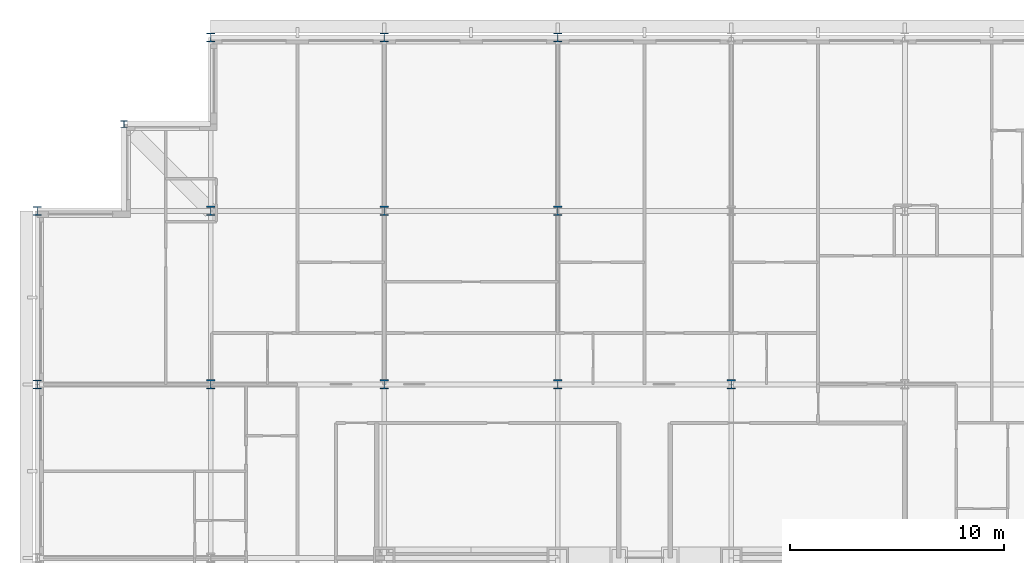
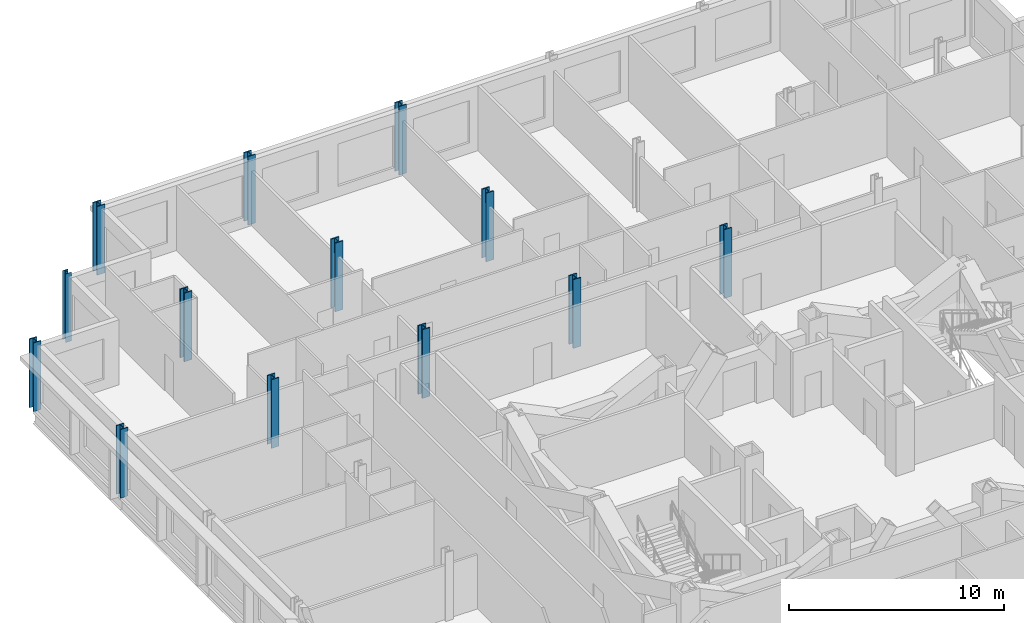
# One storey, part 3 of 15: 13 columns.
"""IFC4 building model written with IfcOpenShell, lengths in metres."""

from ifc_helpers import new_model, si_unit, direction, frame, origin, origin_2d, place, context, subcontext, project, spatial, i_section, extrude, material, material_profile, profile_set, type_object, element, save


model = new_model("IFC4")

# Units and contexts
model_context = context("Model", 3, precision=1e-05, world=origin(), true_north=direction((0.0, 1.0)))
body_context = subcontext(model_context, "Body", "Model", "MODEL_VIEW")
ifc_project = project(units=[si_unit("LENGTHUNIT", "METRE"), si_unit("AREAUNIT", "SQUARE_METRE"), si_unit("VOLUMEUNIT", "CUBIC_METRE"), si_unit("PLANEANGLEUNIT", "RADIAN"), si_unit("MASSUNIT", "GRAM", prefix="KILO")], contexts=[model_context])

# Site, building, storey
site_placement = place(None, origin())
site = spatial("IfcSite", under=ifc_project, at=site_placement, CompositionType="ELEMENT")
building_placement = place(site_placement, origin())
building = spatial("IfcBuilding", under=site, at=building_placement, Name="Kopane Lantern Tower", CompositionType="ELEMENT")
storey_placement = place(building_placement, frame((0.0, 0.0, 289.199951171875)))
storey = spatial("IfcBuildingStorey", under=building, at=storey_placement, Name="L74", CompositionType="ELEMENT", Elevation=289.199951171875)

# Columns
ifc_material_1 = material(Name="Steel S355JR", Category="steel")
ifc_material_profile_1 = material_profile(ifc_material_1, i_section(OverallWidth=0.307373046875, OverallDepth=0.314453125, WebThickness=0.011962890625, FlangeThickness=0.018798828125, FilletRadius=0.01513671875, at=origin_2d()), Name="UC 305x305x118")
ifc_profile_set_1 = profile_set([ifc_material_profile_1], Name="Steel S355JR")
column_type_1 = type_object("IfcColumnType", Name="COLUMN UC 305x305x118", PredefinedType="COLUMN", material=ifc_profile_set_1)
column_placement = place(storey_placement, frame((4.050048828125, 60.75, 0.0), z_axis=(0.0, 0.0, 1.0), x_axis=(1.0, 0.0, 0.0)))
element("IfcColumn", 1, at=column_placement, inside=storey, type_object=column_type_1, Name="Column 4.05/60.75 L74", PredefinedType="COLUMN", context=body_context, shape_type="SweptSolid", body=[
    extrude(i_section(OverallWidth=0.307373046875, OverallDepth=0.314453125, WebThickness=0.011962890625, FlangeThickness=0.018798828125, FilletRadius=0.01513671875, at=origin_2d()), origin(), (0.0, 0.0, 1.0), 3.900146484375),
])
ifc_material_2 = material(Name="Steel S355JR", Category="steel")
ifc_material_profile_2 = material_profile(ifc_material_2, i_section(OverallWidth=0.406982421875, OverallDepth=0.4189453125, WebThickness=0.030517578125, FlangeThickness=0.04931640625, FilletRadius=0.01513671875, at=origin_2d()), Name="UC 356x406x393")
ifc_profile_set_2 = profile_set([ifc_material_profile_2], Name="Steel S355JR")
column_type_2 = type_object("IfcColumnType", Name="COLUMN UC 356x406x393", PredefinedType="COLUMN", material=ifc_profile_set_2)
for number, where, z_axis, x_axis, name in (
    (2, (0.0, 48.60009765625, 0.0), (0.0, 0.0, 1.0), (1.0, 0.0, 0.0), "Column 2/H L74"),
    (3, (0.0, 56.699951171875, 0.0), (0.0, 0.0, 1.0), (1.0, 0.0, 0.0), "Column 2/J L74"),
    (4, (8.10009765625, 64.800048828125, 0.0), (0.0, 0.0, 1.0), (1.0, 0.0, 0.0), "Column 3/K L74"),
    (5, (16.199951171875, 64.800048828125, 0.0), (0.0, 0.0, 1.0), (1.0, 0.0, 0.0), "Column 4/K L74"),
    (6, (24.300048828125, 64.800048828125, 0.0), (0.0, 0.0, 1.0), (1.0, 0.0, 0.0), "Column 5/K L74"),
):
    element("IfcColumn", number, at=place(storey_placement, frame(where, z_axis=z_axis, x_axis=x_axis)), inside=storey, type_object=column_type_2, Name=name, PredefinedType="COLUMN", context=body_context, shape_type="SweptSolid", body=[
        extrude(i_section(OverallWidth=0.406982421875, OverallDepth=0.4189453125, WebThickness=0.030517578125, FlangeThickness=0.04931640625, FilletRadius=0.01513671875, at=origin_2d()), origin(), (0.0, 0.0, 1.0), 3.900146484375),
    ])
ifc_material_3 = material(Name="Steel S355JR", Category="steel")
ifc_material_profile_3 = material_profile(ifc_material_3, i_section(OverallWidth=0.412109375, OverallDepth=0.4365234375, WebThickness=0.035888671875, FlangeThickness=0.05810546875, FilletRadius=0.01513671875, at=origin_2d()), Name="UC 356x406x467")
ifc_profile_set_3 = profile_set([ifc_material_profile_3], Name="Steel S355JR")
column_type_3 = type_object("IfcColumnType", Name="COLUMN UC 356x406x467", PredefinedType="COLUMN", material=ifc_profile_set_3)
for number, where, z_axis, x_axis, name in (
    (7, (8.10009765625, 48.60009765625, 0.0), (0.0, 0.0, 1.0), (1.0, 0.0, 0.0), "Column 3/H L74"),
    (8, (8.10009765625, 56.699951171875, 0.0), (0.0, 0.0, 1.0), (1.0, 0.0, 0.0), "Column 3/J L74"),
    (9, (16.199951171875, 48.60009765625, 0.0), (0.0, 0.0, 1.0), (1.0, 0.0, 0.0), "Column 4/H L74"),
    (10, (16.199951171875, 56.699951171875, 0.0), (0.0, 0.0, 1.0), (1.0, 0.0, 0.0), "Column 4/J L74"),
    (11, (24.300048828125, 48.60009765625, 0.0), (0.0, 0.0, 1.0), (1.0, 0.0, 0.0), "Column 5/H L74"),
    (12, (24.300048828125, 56.699951171875, 0.0), (0.0, 0.0, 1.0), (1.0, 0.0, 0.0), "Column 5/J L74"),
    (13, (32.39990234375, 48.60009765625, 0.0), (0.0, 0.0, 1.0), (1.0, 0.0, 0.0), "Column 6/H L74"),
):
    element("IfcColumn", number, at=place(storey_placement, frame(where, z_axis=z_axis, x_axis=x_axis)), inside=storey, type_object=column_type_3, Name=name, PredefinedType="COLUMN", context=body_context, shape_type="SweptSolid", body=[
        extrude(i_section(OverallWidth=0.412109375, OverallDepth=0.4365234375, WebThickness=0.035888671875, FlangeThickness=0.05810546875, FilletRadius=0.01513671875, at=origin_2d()), origin(), (0.0, 0.0, 1.0), 3.900146484375),
    ])

save(model, "model.ifc")
